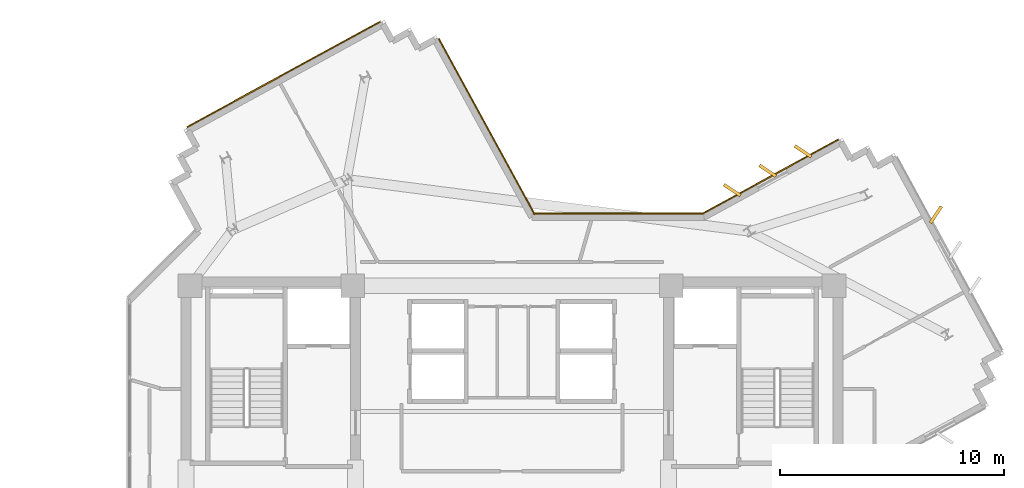
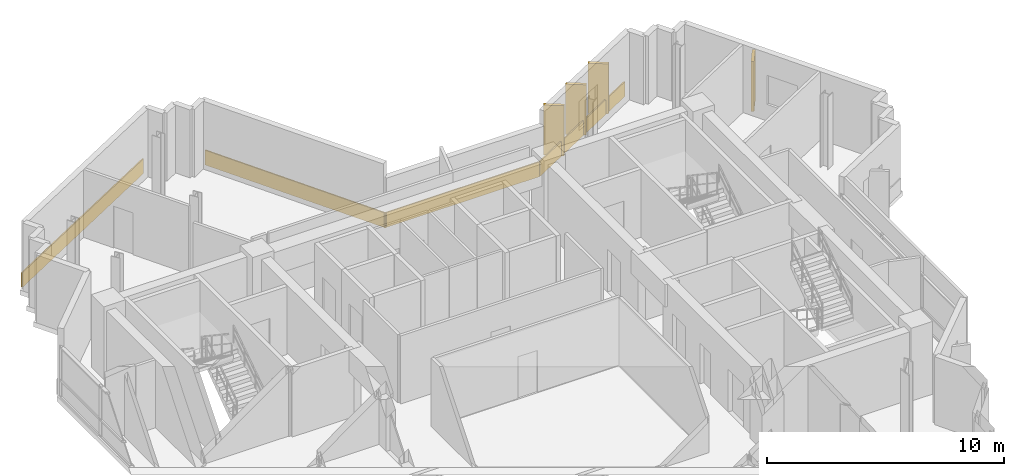
# One storey, part 13 of 13: 8 coverings.
"""IFC4 building model written with IfcOpenShell, lengths in metres."""

from ifc_helpers import new_model, si_unit, direction, frame, origin, origin_2d, place, context, subcontext, project, spatial, rectangle, extrude, source, transform, mapped, material, layer, layer_set, type_object, element, save


model = new_model("IFC4")

# Units and contexts
model_context = context("Model", 3, precision=1e-05, world=origin(), true_north=direction((0.0, 1.0)))
body_context = subcontext(model_context, "Body", "Model", "MODEL_VIEW")
ifc_project = project(units=[si_unit("LENGTHUNIT", "METRE"), si_unit("AREAUNIT", "SQUARE_METRE"), si_unit("VOLUMEUNIT", "CUBIC_METRE"), si_unit("PLANEANGLEUNIT", "RADIAN"), si_unit("MASSUNIT", "GRAM", prefix="KILO")], contexts=[model_context])

# Site, building, storey
site_placement = place(None, origin())
site = spatial("IfcSite", under=ifc_project, at=site_placement, CompositionType="ELEMENT")
building_placement = place(site_placement, origin())
building = spatial("IfcBuilding", under=site, at=building_placement, Name="Zahravan Cultural Tower", CompositionType="ELEMENT")
storey_placement = place(building_placement, frame((0.0, 0.0, 257.85009765625)))
storey = spatial("IfcBuildingStorey", under=building, at=storey_placement, Name="L61", CompositionType="ELEMENT", Elevation=257.85009765625)

# Coverings
ifc_material = material(Name="Terracotta ceramic cladding", Category="masonry")
ifc_layer = layer(ifc_material, 0.06005859375)
ifc_layer_set = layer_set([ifc_layer], Name="Terracotta ceramic cladding")
covering_type = type_object("IfcCoveringType", Name="COV-CLAD-TC60", PredefinedType="CLADDING", material=ifc_layer_set)
shared_shape_1 = source(origin(), body_context, "Body", "SweptSolid", [
    extrude(rectangle(XDim=9.820068359375, YDim=0.06005859375, at=origin_2d()), origin(), (0.0, 0.0, 1.0), 0.760009765625),
])
covering_1_placement = place(storey_placement, frame((25.823486328125, 45.626220703125, 0.02001953125), z_axis=(0.0, 0.0, 1.0), x_axis=(0.877564903719, 0.479457860256, 0.0)))
element("IfcCovering", 1, at=covering_1_placement, inside=storey, type_object=covering_type, Name="L61 Terracotta Spandrel Cladding 42", PredefinedType="CLADDING", context=body_context, shape_type="MappedRepresentation", body=[
    mapped(shared_shape_1, transform((0.0, 0.0, 0.0), x_axis=(1.0, 0.0, 0.0), y_axis=(0.0, 1.0, 0.0), z_axis=(0.0, 0.0, 1.0), scale=1.0)),
])
shared_shape_2 = source(origin(), body_context, "Body", "SweptSolid", [
    extrude(rectangle(XDim=0.8798828125, YDim=0.139892578125, at=origin_2d()), origin(), (0.0, 0.0, 1.0), 2.580078125),
])
for number, where, z_axis, x_axis, name in (
    (2, (45.81640625, 40.465087890625, 0.0498046875), (0.0, 0.0, 1.0), (-0.835327930385, 0.549751988372, 0.0), "L61 Herringbone Terracotta Fin 01"),
    (3, (47.39599609375, 41.328125, 0.0498046875), (0.0, 0.0, 1.0), (-0.835327930385, 0.549751988372, 0.0), "L61 Herringbone Terracotta Fin 02"),
    (4, (48.9755859375, 42.191162109375, 0.0498046875), (0.0, 0.0, 1.0), (-0.835327930385, 0.549751988372, 0.0), "L61 Herringbone Terracotta Fin 03"),
    (5, (54.89111328125, 39.372314453125, 0.0498046875), (0.0, 0.0, 1.0), (0.549751988372, 0.835327930385, 0.0), "L61 Herringbone Terracotta Fin 04"),
):
    element("IfcCovering", number, at=place(storey_placement, frame(where, z_axis=z_axis, x_axis=x_axis)), inside=storey, type_object=covering_type, Name=name, PredefinedType="CLADDING", context=body_context, shape_type="MappedRepresentation", body=[
        mapped(shared_shape_2, transform((0.0, 0.0, 0.0), x_axis=(1.0, 0.0, 0.0), y_axis=(0.0, 1.0, 0.0), z_axis=(0.0, 0.0, 1.0), scale=1.0)),
    ])
shared_shape_3 = source(origin(), body_context, "Body", "SweptSolid", [
    extrude(rectangle(XDim=6.87939453125, YDim=0.06005859375, at=origin_2d()), origin(), (0.0, 0.0, 1.0), 0.760009765625),
])
covering_2_placement = place(storey_placement, frame((47.532470703125, 41.077880859375, 0.02001953125), z_axis=(0.0, 0.0, 1.0), x_axis=(0.877564903719, 0.479457860256, 0.0)))
element("IfcCovering", 6, at=covering_2_placement, inside=storey, type_object=covering_type, Name="L61 Terracotta Spandrel Cladding 01", PredefinedType="CLADDING", context=body_context, shape_type="MappedRepresentation", body=[
    mapped(shared_shape_3, transform((0.0, 0.0, 0.0), x_axis=(1.0, 0.0, 0.0), y_axis=(0.0, 1.0, 0.0), z_axis=(0.0, 0.0, 1.0), scale=1.0)),
])
shared_shape_4 = source(origin(), body_context, "Body", "SweptSolid", [
    extrude(rectangle(XDim=8.92822265625, YDim=0.06005859375, at=origin_2d()), origin(), (0.0, 0.0, 1.0), 0.760009765625),
])
covering_3_placement = place(storey_placement, frame((34.871337890625, 43.300537109375, 0.02001953125), z_axis=(0.0, 0.0, 1.0), x_axis=(0.479457860256, -0.877564903719, 0.0)))
element("IfcCovering", 7, at=covering_3_placement, inside=storey, type_object=covering_type, Name="L61 Terracotta Spandrel Cladding 47", PredefinedType="CLADDING", context=body_context, shape_type="MappedRepresentation", body=[
    mapped(shared_shape_4, transform((0.0, 0.0, 0.0), x_axis=(1.0, 0.0, 0.0), y_axis=(0.0, 1.0, 0.0), z_axis=(0.0, 0.0, 1.0), scale=1.0)),
])
shared_shape_5 = source(origin(), body_context, "Body", "SweptSolid", [
    extrude(rectangle(XDim=7.55810546875, YDim=0.06005859375, at=origin_2d()), origin(), (0.0, 0.0, 1.0), 0.760009765625),
])
covering_4_placement = place(storey_placement, frame((40.72021484375, 39.425048828125, 0.02001953125), z_axis=(0.0, 0.0, 1.0), x_axis=(1.0, 0.0, 0.0)))
element("IfcCovering", 8, at=covering_4_placement, inside=storey, type_object=covering_type, Name="L61 Terracotta Spandrel Cladding 48", PredefinedType="CLADDING", context=body_context, shape_type="MappedRepresentation", body=[
    mapped(shared_shape_5, transform((0.0, 0.0, 0.0), x_axis=(1.0, 0.0, 0.0), y_axis=(0.0, 1.0, 0.0), z_axis=(0.0, 0.0, 1.0), scale=1.0)),
])

save(model, "model.ifc")
